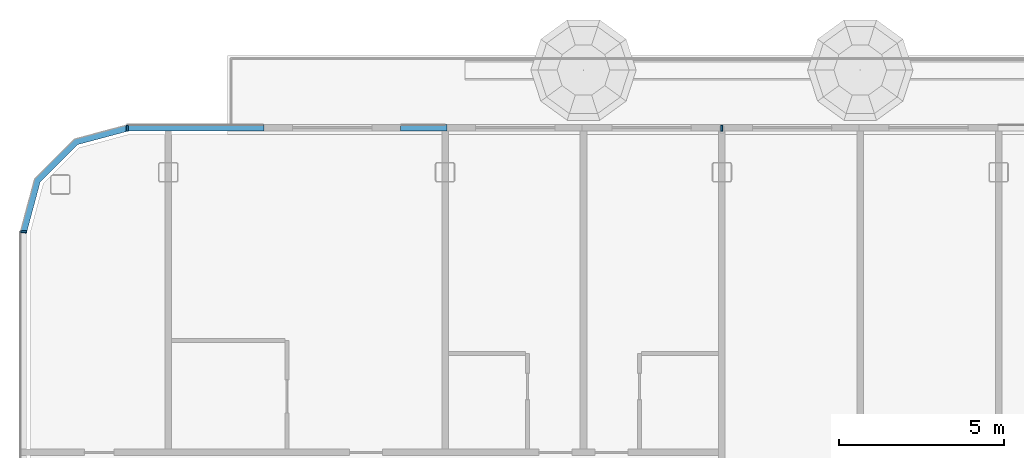
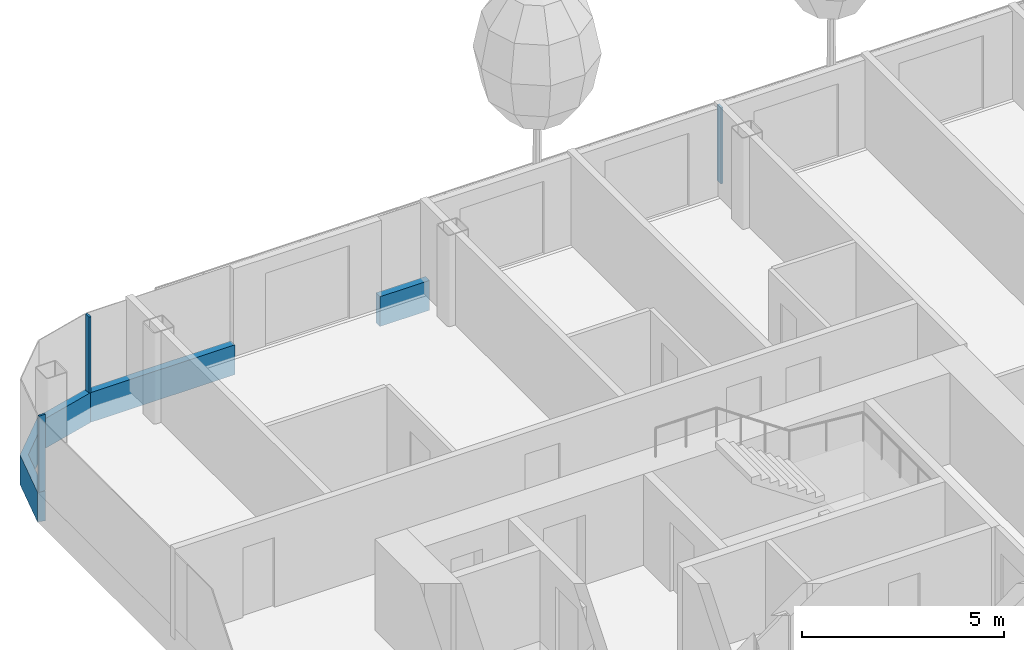
# One storey, part 4 of 29: 6 members, 3 elements without a shape of their own.
"""IFC4 building model written with IfcOpenShell, lengths in metres."""

from ifc_helpers import new_model, si_unit, direction, frame, origin, origin_2d, place, context, subcontext, project, spatial, polyline, rectangle, outline, extrude, material, layer, layer_set, material_profile, profile_set, type_object, element, aggregate, save


model = new_model("IFC4")

# Units and contexts
model_context = context("Model", 3, precision=1e-05, world=origin(), true_north=direction((0.0, 1.0)))
body_context = subcontext(model_context, "Body", "Model", "MODEL_VIEW")
ifc_project = project(units=[si_unit("LENGTHUNIT", "METRE"), si_unit("AREAUNIT", "SQUARE_METRE"), si_unit("VOLUMEUNIT", "CUBIC_METRE"), si_unit("PLANEANGLEUNIT", "RADIAN"), si_unit("MASSUNIT", "GRAM", prefix="KILO")], contexts=[model_context])

# Site, building, storey
site_placement = place(None, origin())
site = spatial("IfcSite", under=ifc_project, at=site_placement, CompositionType="ELEMENT")
building_placement = place(site_placement, origin())
building = spatial("IfcBuilding", under=site, at=building_placement, Name="Hakoniwa Tower and Hamabe Station Hall", CompositionType="ELEMENT")
storey_placement = place(building_placement, frame((0.0, 0.0, 205.800048828125)))
storey = spatial("IfcBuildingStorey", under=building, at=storey_placement, Name="L58", CompositionType="ELEMENT", Elevation=205.800048828125)

# Curtain wall, members
ifc_material_1 = material(Name="Dark low-e laminated glass", Category="glass")
ifc_layer = layer(ifc_material_1, 0.199951171875)
ifc_layer_set = layer_set([ifc_layer], Name="CW-1 UNITISED GUEST")
curtain_wall_type = type_object("IfcCurtainWallType", Name="CW-1 UNITISED GUEST", PredefinedType="NOTDEFINED", material=ifc_layer_set)
curtain_wall_1_placement = place(storey_placement, origin())
curtain_wall_1 = element("IfcCurtainWall", 1, at=curtain_wall_1_placement, inside=storey, type_object=curtain_wall_type, Name="CW-1 curtain wall", PredefinedType="NOTDEFINED")
ifc_material_2 = material(Name="Aluminium 6063-T5 black anodised", Category="aluminium")
ifc_material_profile_1 = material_profile(ifc_material_2, rectangle(XDim=0.199951171875, YDim=0.89990234375, at=origin_2d()), Name="CW SLAB-EDGE BAND 900X200")
ifc_profile_set_1 = profile_set([ifc_material_profile_1], Name="Aluminium 6063-T5 black anodised")
member_type_1 = type_object("IfcMemberType", Name="CW SLAB-EDGE BAND 900X200", PredefinedType="USERDEFINED", material=ifc_profile_set_1)
member_1_placement = place(storey_placement, frame((-25.139892578125, 20.449951171875, -0.10009765625), z_axis=(-1.0, 0.0, 0.0), x_axis=(0.0, -1.0, 0.0)))
member_1 = element("IfcMember", 2, at=member_1_placement, type_object=member_type_1, Name="CW-1 transom", ObjectType="TRANSOM", PredefinedType="USERDEFINED", context=body_context, shape_type="SweptSolid", body=[
    extrude(rectangle(XDim=0.199951171875, YDim=0.89990234375, at=origin_2d()), origin(), (0.0, 0.0, 1.0), 1.4150390625),
])
member_2_placement = place(storey_placement, frame((-30.695068359375, 20.449951171875, -0.10009765625), z_axis=(-1.0, 0.0, 0.0), x_axis=(0.0, -1.0, 0.0)))
member_2 = element("IfcMember", 3, at=member_2_placement, type_object=member_type_1, Name="CW-1 transom", ObjectType="TRANSOM", PredefinedType="USERDEFINED", context=body_context, shape_type="SweptSolid", body=[
    extrude(rectangle(XDim=0.199951171875, YDim=0.89990234375, at=origin_2d()), origin(), (0.0, 0.0, 1.0), 4.14453125),
])

# Curtain wall, member
curtain_wall_2_placement = place(storey_placement, origin())
curtain_wall_2 = element("IfcCurtainWall", 4, at=curtain_wall_2_placement, inside=storey, type_object=curtain_wall_type, Name="CW-1 curtain wall", PredefinedType="NOTDEFINED")
member_3_placement = place(storey_placement, frame((0.0, 0.0, -0.550048828125)))
member_3 = element("IfcMember", 5, at=member_3_placement, type_object=member_type_1, Name="CW-1 transom", ObjectType="TRANSOM", PredefinedType="USERDEFINED", context=body_context, shape_type="SweptSolid", body=[
    extrude(outline(polyline([(-34.839599609375, 20.550048828125), (-36.455322265625, 20.116943359375), (-37.6669921875, 18.9052734375), (-38.10009765625, 17.28955078125), (-37.90673828125, 17.23779296875), (-37.48779296875, 18.8017578125), (-36.351806640625, 19.937744140625), (-34.787841796875, 20.35693359375), (-34.839599609375, 20.550048828125)])), origin(), (0.0, 0.0, 1.0), 0.89990234375),
])
aggregate(curtain_wall_2, [member_3])

# Member
ifc_material_3 = material(Name="Aluminium 6063-T5 black anodised", Category="aluminium")
ifc_material_profile_2 = material_profile(ifc_material_3, rectangle(XDim=0.06005859375, YDim=0.179931640625, at=origin_2d()), Name="CW-1 MULLION 60X180")
ifc_profile_set_2 = profile_set([ifc_material_profile_2], Name="Aluminium 6063-T5 black anodised")
member_type_2 = type_object("IfcMemberType", Name="CW-1 MULLION 60X180", PredefinedType="MULLION", material=ifc_profile_set_2)
member_4_placement = place(storey_placement, frame((-16.800048828125, 20.431884765625, 0.349853515625), z_axis=(0.0, 0.0, 1.0), x_axis=(-1.0, 0.0, 0.0)))
member_4 = element("IfcMember", 6, at=member_4_placement, type_object=member_type_2, Name="CW-1 mullion", PredefinedType="MULLION", context=body_context, shape_type="SweptSolid", body=[
    extrude(rectangle(XDim=0.06005859375, YDim=0.179931640625, at=origin_2d()), origin(), (0.0, 0.0, 1.0), 2.300048828125),
])

member_5_placement = place(storey_placement, frame((-34.839599609375, 20.431884765625, 0.349853515625), z_axis=(0.0, 0.0, 1.0), x_axis=(-1.0, 0.0, 0.0)))
member_5 = element("IfcMember", 7, at=member_5_placement, type_object=member_type_2, Name="CW-1 mullion", PredefinedType="MULLION", context=body_context, shape_type="SweptSolid", body=[
    extrude(rectangle(XDim=0.06005859375, YDim=0.179931640625, at=origin_2d()), origin(), (0.0, 0.0, 1.0), 2.300048828125),
])

aggregate(curtain_wall_1, [member_4, member_5, member_1, member_2])

# Curtain wall, member
curtain_wall_3_placement = place(storey_placement, origin())
curtain_wall_3 = element("IfcCurtainWall", 8, at=curtain_wall_3_placement, inside=storey, type_object=curtain_wall_type, Name="CW-1 curtain wall", PredefinedType="NOTDEFINED")
member_6_placement = place(storey_placement, frame((-37.98193359375, 17.28955078125, 0.349853515625), z_axis=(0.0, 0.0, 1.0), x_axis=(0.0, -1.0, 0.0)))
member_6 = element("IfcMember", 9, at=member_6_placement, type_object=member_type_2, Name="CW-1 mullion", PredefinedType="MULLION", context=body_context, shape_type="SweptSolid", body=[
    extrude(rectangle(XDim=0.06005859375, YDim=0.179931640625, at=origin_2d()), origin(), (0.0, 0.0, 1.0), 2.300048828125),
])
aggregate(curtain_wall_3, [member_6])

save(model, "model.ifc")
